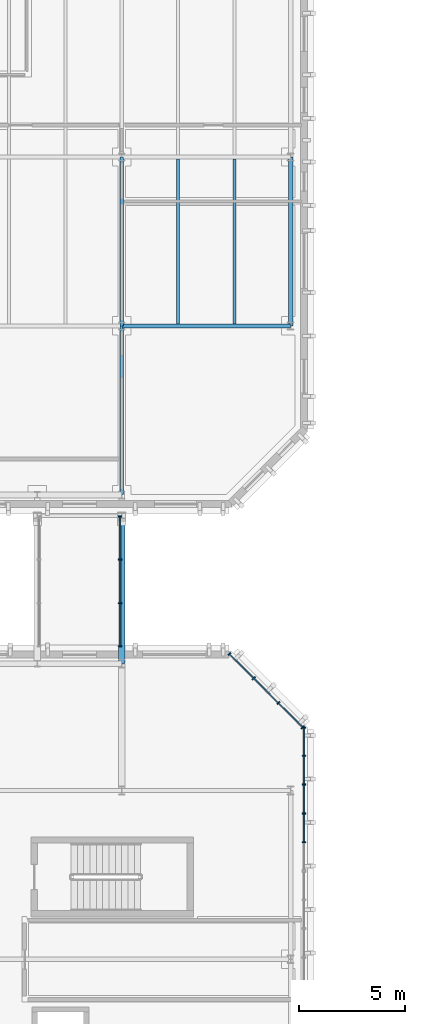
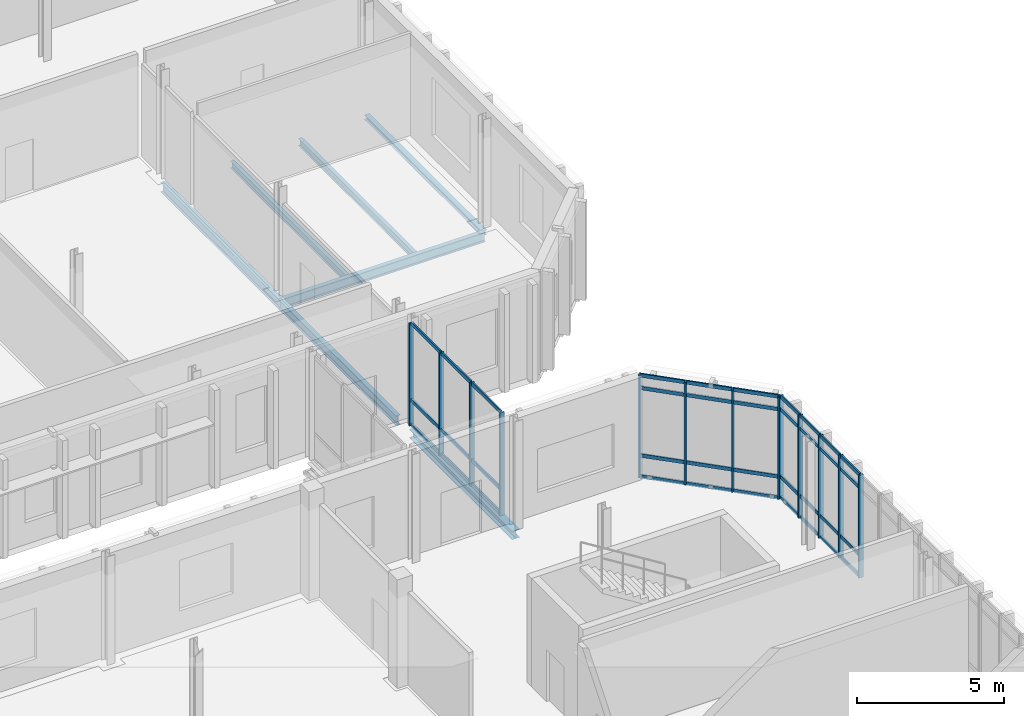
# One storey, part 34 of 86: 50 members, 7 beams, 3 elements without a shape of their own.
"""IFC4 building model written with IfcOpenShell, lengths in metres."""

from ifc_helpers import new_model, si_unit, direction, frame, origin, origin_2d, place, context, subcontext, project, spatial, rectangle, i_section, extrude, material, material_profile, profile_set, type_object, element, aggregate, save


model = new_model("IFC4")

# Units and contexts
model_context = context("Model", 3, precision=1e-05, world=origin(), true_north=direction((0.0, 1.0)))
body_context = subcontext(model_context, "Body", "Model", "MODEL_VIEW")
ifc_project = project(units=[si_unit("LENGTHUNIT", "METRE"), si_unit("AREAUNIT", "SQUARE_METRE"), si_unit("VOLUMEUNIT", "CUBIC_METRE"), si_unit("PLANEANGLEUNIT", "RADIAN"), si_unit("MASSUNIT", "GRAM", prefix="KILO")], contexts=[model_context])

# Site, building, storey
site_placement = place(None, origin())
site = spatial("IfcSite", under=ifc_project, at=site_placement, CompositionType="ELEMENT")
building_placement = place(site_placement, origin())
building = spatial("IfcBuilding", under=site, at=building_placement, Name="Cymarion Research Institute", CompositionType="ELEMENT")
storey_placement = place(building_placement, frame((0.0, 0.0, 13.800048828125)))
storey = spatial("IfcBuildingStorey", under=building, at=storey_placement, Name="L03", CompositionType="ELEMENT", Elevation=13.800048828125)

# Curtain wall, members
ifc_material_1 = material(Name="Anodised aluminium unitised curtain wall with Low-E glazing", Category="aluminium")
curtain_wall_type_1 = type_object("IfcCurtainWallType", Name="UNITISED CURTAIN WALL CW20 6820X4250", PredefinedType="NOTDEFINED", material=ifc_material_1)
curtain_wall_1_placement = place(storey_placement, origin())
curtain_wall_1 = element("IfcCurtainWall", 1, at=curtain_wall_1_placement, inside=storey, type_object=curtain_wall_type_1, Name="L03 V4 unitised curtain wall CW20 #155", PredefinedType="NOTDEFINED")
ifc_material_2 = material(Name="Anodised aluminium framing", Category="aluminium")
ifc_material_profile_1 = material_profile(ifc_material_2, rectangle(XDim=0.06005859375, YDim=0.179931640625, at=origin_2d()), Name="ALU MULLION 60x180")
ifc_profile_set_1 = profile_set([ifc_material_profile_1], Name="Anodised aluminium framing")
member_type_1 = type_object("IfcMemberType", Name="CURTAIN WALL MULLION ML01 60X180", PredefinedType="MULLION", material=ifc_profile_set_1)
member_1_placement = place(storey_placement, frame((47.22998046875, 69.04443359375, 0.0), z_axis=(0.0, 0.0, 1.0), x_axis=(0.0, 1.0, 0.0)))
member_1 = element("IfcMember", 2, at=member_1_placement, type_object=member_type_1, Name="CW20 mullion 2", PredefinedType="MULLION", context=body_context, shape_type="SweptSolid", body=[
    extrude(rectangle(XDim=0.06005859375, YDim=0.179931640625, at=origin_2d()), origin(), (0.0, 0.0, 1.0), 4.25),
])
member_2_placement = place(storey_placement, frame((47.22998046875, 70.408203125, 0.0), z_axis=(0.0, 0.0, 1.0), x_axis=(0.0, 1.0, 0.0)))
member_2 = element("IfcMember", 3, at=member_2_placement, type_object=member_type_1, Name="CW20 mullion 3", PredefinedType="MULLION", context=body_context, shape_type="SweptSolid", body=[
    extrude(rectangle(XDim=0.06005859375, YDim=0.179931640625, at=origin_2d()), origin(), (0.0, 0.0, 1.0), 4.25),
])
member_3_placement = place(storey_placement, frame((47.22998046875, 71.772216796875, 0.0), z_axis=(0.0, 0.0, 1.0), x_axis=(0.0, 1.0, 0.0)))
member_3 = element("IfcMember", 4, at=member_3_placement, type_object=member_type_1, Name="CW20 mullion 4", PredefinedType="MULLION", context=body_context, shape_type="SweptSolid", body=[
    extrude(rectangle(XDim=0.06005859375, YDim=0.179931640625, at=origin_2d()), origin(), (0.0, 0.0, 1.0), 4.25),
])
member_4_placement = place(storey_placement, frame((47.22998046875, 73.135986328125, 0.0), z_axis=(0.0, 0.0, 1.0), x_axis=(0.0, 1.0, 0.0)))
member_4 = element("IfcMember", 5, at=member_4_placement, type_object=member_type_1, Name="CW20 mullion 5", PredefinedType="MULLION", context=body_context, shape_type="SweptSolid", body=[
    extrude(rectangle(XDim=0.06005859375, YDim=0.179931640625, at=origin_2d()), origin(), (0.0, 0.0, 1.0), 4.25),
])
member_5_placement = place(storey_placement, frame((47.22998046875, 74.469970703125, 0.0), z_axis=(0.0, 0.0, 1.0), x_axis=(0.0, 1.0, 0.0)))
member_5 = element("IfcMember", 6, at=member_5_placement, type_object=member_type_1, Name="CW20 mullion 6", PredefinedType="MULLION", context=body_context, shape_type="SweptSolid", body=[
    extrude(rectangle(XDim=0.06005859375, YDim=0.179931640625, at=origin_2d()), origin(), (0.0, 0.0, 1.0), 4.25),
])

curtain_wall_type_2 = type_object("IfcCurtainWallType", Name="UNITISED CURTAIN WALL CW21 4970X4250", PredefinedType="NOTDEFINED", material=ifc_material_1)
curtain_wall_2_placement = place(storey_placement, origin())
curtain_wall_2 = element("IfcCurtainWall", 7, at=curtain_wall_2_placement, inside=storey, type_object=curtain_wall_type_2, Name="L03 V4 unitised curtain wall CW21 #156", PredefinedType="NOTDEFINED")
member_6_placement = place(storey_placement, frame((47.171630859375, 74.48779296875, 0.0), z_axis=(0.0, 0.0, 1.0), x_axis=(-0.707096717405, 0.707116844825, 0.0)))
member_6 = element("IfcMember", 8, at=member_6_placement, type_object=member_type_1, Name="CW21 mullion 1", PredefinedType="MULLION", context=body_context, shape_type="SweptSolid", body=[
    extrude(rectangle(XDim=0.06005859375, YDim=0.179931640625, at=origin_2d()), origin(), (0.0, 0.0, 1.0), 4.25),
])
member_7_placement = place(storey_placement, frame((46.02197265625, 75.6376953125, 0.0), z_axis=(0.0, 0.0, 1.0), x_axis=(-0.707096717405, 0.707116844825, 0.0)))
member_7 = element("IfcMember", 9, at=member_7_placement, type_object=member_type_1, Name="CW21 mullion 2", PredefinedType="MULLION", context=body_context, shape_type="SweptSolid", body=[
    extrude(rectangle(XDim=0.06005859375, YDim=0.179931640625, at=origin_2d()), origin(), (0.0, 0.0, 1.0), 4.25),
])
member_8_placement = place(storey_placement, frame((44.850830078125, 76.808837890625, 0.0), z_axis=(0.0, 0.0, 1.0), x_axis=(-0.707096717405, 0.707116844825, 0.0)))
member_8 = element("IfcMember", 10, at=member_8_placement, type_object=member_type_1, Name="CW21 mullion 3", PredefinedType="MULLION", context=body_context, shape_type="SweptSolid", body=[
    extrude(rectangle(XDim=0.06005859375, YDim=0.179931640625, at=origin_2d()), origin(), (0.0, 0.0, 1.0), 4.25),
])
member_9_placement = place(storey_placement, frame((43.700927734375, 77.95849609375, 0.0), z_axis=(0.0, 0.0, 1.0), x_axis=(-0.707096717405, 0.707116844825, 0.0)))
member_9 = element("IfcMember", 11, at=member_9_placement, type_object=member_type_1, Name="CW21 mullion 4", PredefinedType="MULLION", context=body_context, shape_type="SweptSolid", body=[
    extrude(rectangle(XDim=0.06005859375, YDim=0.179931640625, at=origin_2d()), origin(), (0.0, 0.0, 1.0), 4.25),
])

curtain_wall_type_3 = type_object("IfcCurtainWallType", Name="UNITISED CURTAIN WALL CW25 6200X4260", PredefinedType="NOTDEFINED", material=ifc_material_1)
curtain_wall_3_placement = place(storey_placement, origin())
curtain_wall_3 = element("IfcCurtainWall", 12, at=curtain_wall_3_placement, inside=storey, type_object=curtain_wall_type_3, Name="L03 SP2 sky-passage glazed wall 2", PredefinedType="NOTDEFINED")
member_10_placement = place(storey_placement, frame((38.52001953125, 78.330078125, 0.0), z_axis=(0.0, 0.0, 1.0), x_axis=(0.0, 1.0, 0.0)))
member_10 = element("IfcMember", 13, at=member_10_placement, type_object=member_type_1, Name="CW25 mullion 1", PredefinedType="MULLION", context=body_context, shape_type="SweptSolid", body=[
    extrude(rectangle(XDim=0.06005859375, YDim=0.179931640625, at=origin_2d()), origin(), (0.0, 0.0, 1.0), 4.260009765625),
])
member_11_placement = place(storey_placement, frame((38.52001953125, 80.36669921875, 0.0), z_axis=(0.0, 0.0, 1.0), x_axis=(0.0, 1.0, 0.0)))
member_11 = element("IfcMember", 14, at=member_11_placement, type_object=member_type_1, Name="CW25 mullion 2", PredefinedType="MULLION", context=body_context, shape_type="SweptSolid", body=[
    extrude(rectangle(XDim=0.06005859375, YDim=0.179931640625, at=origin_2d()), origin(), (0.0, 0.0, 1.0), 4.260009765625),
])
member_12_placement = place(storey_placement, frame((38.52001953125, 82.433349609375, 0.0), z_axis=(0.0, 0.0, 1.0), x_axis=(0.0, 1.0, 0.0)))
member_12 = element("IfcMember", 15, at=member_12_placement, type_object=member_type_1, Name="CW25 mullion 3", PredefinedType="MULLION", context=body_context, shape_type="SweptSolid", body=[
    extrude(rectangle(XDim=0.06005859375, YDim=0.179931640625, at=origin_2d()), origin(), (0.0, 0.0, 1.0), 4.260009765625),
])
member_13_placement = place(storey_placement, frame((38.52001953125, 84.469970703125, 0.0), z_axis=(0.0, 0.0, 1.0), x_axis=(0.0, 1.0, 0.0)))
member_13 = element("IfcMember", 16, at=member_13_placement, type_object=member_type_1, Name="CW25 mullion 4", PredefinedType="MULLION", context=body_context, shape_type="SweptSolid", body=[
    extrude(rectangle(XDim=0.06005859375, YDim=0.179931640625, at=origin_2d()), origin(), (0.0, 0.0, 1.0), 4.260009765625),
])

# Member
ifc_material_profile_2 = material_profile(ifc_material_2, rectangle(XDim=0.06005859375, YDim=0.14990234375, at=origin_2d()), Name="ALU TRANSOM 60x150")
ifc_profile_set_2 = profile_set([ifc_material_profile_2], Name="Anodised aluminium framing")
member_type_2 = type_object("IfcMemberType", Name="CURTAIN WALL TRANSOM TR01 60X150", PredefinedType="USERDEFINED", material=ifc_profile_set_2)
member_14_placement = place(storey_placement, frame((47.22998046875, 69.074462890625, 0.030029296875), z_axis=(0.0, 1.0, 0.0), x_axis=(-1.0, 0.0, 0.0)))
member_14 = element("IfcMember", 17, at=member_14_placement, type_object=member_type_2, Name="CW20 transom 2.1", ObjectType="TRANSOM", PredefinedType="USERDEFINED", context=body_context, shape_type="SweptSolid", body=[
    extrude(rectangle(XDim=0.06005859375, YDim=0.14990234375, at=origin_2d()), origin(), (0.0, 0.0, 1.0), 1.303955078125),
])

member_15_placement = place(storey_placement, frame((47.22998046875, 69.074462890625, 0.89990234375), z_axis=(0.0, 1.0, 0.0), x_axis=(-1.0, 0.0, 0.0)))
member_15 = element("IfcMember", 18, at=member_15_placement, type_object=member_type_2, Name="CW20 transom 2.2", ObjectType="TRANSOM", PredefinedType="USERDEFINED", context=body_context, shape_type="SweptSolid", body=[
    extrude(rectangle(XDim=0.06005859375, YDim=0.14990234375, at=origin_2d()), origin(), (0.0, 0.0, 1.0), 1.303955078125),
])

member_16_placement = place(storey_placement, frame((47.22998046875, 69.074462890625, 3.699951171875), z_axis=(0.0, 1.0, 0.0), x_axis=(-1.0, 0.0, 0.0)))
member_16 = element("IfcMember", 19, at=member_16_placement, type_object=member_type_2, Name="CW20 transom 2.3", ObjectType="TRANSOM", PredefinedType="USERDEFINED", context=body_context, shape_type="SweptSolid", body=[
    extrude(rectangle(XDim=0.06005859375, YDim=0.14990234375, at=origin_2d()), origin(), (0.0, 0.0, 1.0), 1.303955078125),
])

member_17_placement = place(storey_placement, frame((47.22998046875, 69.074462890625, 4.219970703125), z_axis=(0.0, 1.0, 0.0), x_axis=(-1.0, 0.0, 0.0)))
member_17 = element("IfcMember", 20, at=member_17_placement, type_object=member_type_2, Name="CW20 transom 2.4", ObjectType="TRANSOM", PredefinedType="USERDEFINED", context=body_context, shape_type="SweptSolid", body=[
    extrude(rectangle(XDim=0.06005859375, YDim=0.14990234375, at=origin_2d()), origin(), (0.0, 0.0, 1.0), 1.303955078125),
])

member_18_placement = place(storey_placement, frame((47.22998046875, 70.438232421875, 0.030029296875), z_axis=(0.0, 1.0, 0.0), x_axis=(-1.0, 0.0, 0.0)))
member_18 = element("IfcMember", 21, at=member_18_placement, type_object=member_type_2, Name="CW20 transom 3.1", ObjectType="TRANSOM", PredefinedType="USERDEFINED", context=body_context, shape_type="SweptSolid", body=[
    extrude(rectangle(XDim=0.06005859375, YDim=0.14990234375, at=origin_2d()), origin(), (0.0, 0.0, 1.0), 1.303955078125),
])

member_19_placement = place(storey_placement, frame((47.22998046875, 70.438232421875, 0.89990234375), z_axis=(0.0, 1.0, 0.0), x_axis=(-1.0, 0.0, 0.0)))
member_19 = element("IfcMember", 22, at=member_19_placement, type_object=member_type_2, Name="CW20 transom 3.2", ObjectType="TRANSOM", PredefinedType="USERDEFINED", context=body_context, shape_type="SweptSolid", body=[
    extrude(rectangle(XDim=0.06005859375, YDim=0.14990234375, at=origin_2d()), origin(), (0.0, 0.0, 1.0), 1.303955078125),
])

member_20_placement = place(storey_placement, frame((47.22998046875, 70.438232421875, 3.699951171875), z_axis=(0.0, 1.0, 0.0), x_axis=(-1.0, 0.0, 0.0)))
member_20 = element("IfcMember", 23, at=member_20_placement, type_object=member_type_2, Name="CW20 transom 3.3", ObjectType="TRANSOM", PredefinedType="USERDEFINED", context=body_context, shape_type="SweptSolid", body=[
    extrude(rectangle(XDim=0.06005859375, YDim=0.14990234375, at=origin_2d()), origin(), (0.0, 0.0, 1.0), 1.303955078125),
])

member_21_placement = place(storey_placement, frame((47.22998046875, 70.438232421875, 4.219970703125), z_axis=(0.0, 1.0, 0.0), x_axis=(-1.0, 0.0, 0.0)))
member_21 = element("IfcMember", 24, at=member_21_placement, type_object=member_type_2, Name="CW20 transom 3.4", ObjectType="TRANSOM", PredefinedType="USERDEFINED", context=body_context, shape_type="SweptSolid", body=[
    extrude(rectangle(XDim=0.06005859375, YDim=0.14990234375, at=origin_2d()), origin(), (0.0, 0.0, 1.0), 1.303955078125),
])

member_22_placement = place(storey_placement, frame((47.22998046875, 71.80224609375, 0.030029296875), z_axis=(0.0, 1.0, 0.0), x_axis=(-1.0, 0.0, 0.0)))
member_22 = element("IfcMember", 25, at=member_22_placement, type_object=member_type_2, Name="CW20 transom 4.1", ObjectType="TRANSOM", PredefinedType="USERDEFINED", context=body_context, shape_type="SweptSolid", body=[
    extrude(rectangle(XDim=0.06005859375, YDim=0.14990234375, at=origin_2d()), origin(), (0.0, 0.0, 1.0), 1.303955078125),
])

member_23_placement = place(storey_placement, frame((47.22998046875, 71.80224609375, 0.89990234375), z_axis=(0.0, 1.0, 0.0), x_axis=(-1.0, 0.0, 0.0)))
member_23 = element("IfcMember", 26, at=member_23_placement, type_object=member_type_2, Name="CW20 transom 4.2", ObjectType="TRANSOM", PredefinedType="USERDEFINED", context=body_context, shape_type="SweptSolid", body=[
    extrude(rectangle(XDim=0.06005859375, YDim=0.14990234375, at=origin_2d()), origin(), (0.0, 0.0, 1.0), 1.303955078125),
])

member_24_placement = place(storey_placement, frame((47.22998046875, 71.80224609375, 3.699951171875), z_axis=(0.0, 1.0, 0.0), x_axis=(-1.0, 0.0, 0.0)))
member_24 = element("IfcMember", 27, at=member_24_placement, type_object=member_type_2, Name="CW20 transom 4.3", ObjectType="TRANSOM", PredefinedType="USERDEFINED", context=body_context, shape_type="SweptSolid", body=[
    extrude(rectangle(XDim=0.06005859375, YDim=0.14990234375, at=origin_2d()), origin(), (0.0, 0.0, 1.0), 1.303955078125),
])

member_25_placement = place(storey_placement, frame((47.22998046875, 71.80224609375, 4.219970703125), z_axis=(0.0, 1.0, 0.0), x_axis=(-1.0, 0.0, 0.0)))
member_25 = element("IfcMember", 28, at=member_25_placement, type_object=member_type_2, Name="CW20 transom 4.4", ObjectType="TRANSOM", PredefinedType="USERDEFINED", context=body_context, shape_type="SweptSolid", body=[
    extrude(rectangle(XDim=0.06005859375, YDim=0.14990234375, at=origin_2d()), origin(), (0.0, 0.0, 1.0), 1.303955078125),
])

member_26_placement = place(storey_placement, frame((47.22998046875, 73.166015625, 0.030029296875), z_axis=(0.0, 1.0, 0.0), x_axis=(-1.0, 0.0, 0.0)))
member_26 = element("IfcMember", 29, at=member_26_placement, type_object=member_type_2, Name="CW20 transom 5.1", ObjectType="TRANSOM", PredefinedType="USERDEFINED", context=body_context, shape_type="SweptSolid", body=[
    extrude(rectangle(XDim=0.06005859375, YDim=0.14990234375, at=origin_2d()), origin(), (0.0, 0.0, 1.0), 1.27392578125),
])

member_27_placement = place(storey_placement, frame((47.22998046875, 73.166015625, 0.89990234375), z_axis=(0.0, 1.0, 0.0), x_axis=(-1.0, 0.0, 0.0)))
member_27 = element("IfcMember", 30, at=member_27_placement, type_object=member_type_2, Name="CW20 transom 5.2", ObjectType="TRANSOM", PredefinedType="USERDEFINED", context=body_context, shape_type="SweptSolid", body=[
    extrude(rectangle(XDim=0.06005859375, YDim=0.14990234375, at=origin_2d()), origin(), (0.0, 0.0, 1.0), 1.27392578125),
])

member_28_placement = place(storey_placement, frame((47.22998046875, 73.166015625, 3.699951171875), z_axis=(0.0, 1.0, 0.0), x_axis=(-1.0, 0.0, 0.0)))
member_28 = element("IfcMember", 31, at=member_28_placement, type_object=member_type_2, Name="CW20 transom 5.3", ObjectType="TRANSOM", PredefinedType="USERDEFINED", context=body_context, shape_type="SweptSolid", body=[
    extrude(rectangle(XDim=0.06005859375, YDim=0.14990234375, at=origin_2d()), origin(), (0.0, 0.0, 1.0), 1.27392578125),
])

member_29_placement = place(storey_placement, frame((47.22998046875, 73.166015625, 4.219970703125), z_axis=(0.0, 1.0, 0.0), x_axis=(-1.0, 0.0, 0.0)))
member_29 = element("IfcMember", 32, at=member_29_placement, type_object=member_type_2, Name="CW20 transom 5.4", ObjectType="TRANSOM", PredefinedType="USERDEFINED", context=body_context, shape_type="SweptSolid", body=[
    extrude(rectangle(XDim=0.06005859375, YDim=0.14990234375, at=origin_2d()), origin(), (0.0, 0.0, 1.0), 1.27392578125),
])

aggregate(curtain_wall_1, [member_1, member_2, member_3, member_4, member_5, member_14, member_15, member_16, member_17, member_18, member_19, member_20, member_21, member_22, member_23, member_24, member_25, member_26, member_27, member_28, member_29])

member_30_placement = place(storey_placement, frame((47.150390625, 74.509033203125, 0.030029296875), z_axis=(-0.707106781187, 0.707106781187, 0.0), x_axis=(-0.707106781187, -0.707106781187, 0.0)))
member_30 = element("IfcMember", 33, at=member_30_placement, type_object=member_type_2, Name="CW21 transom 1.1", ObjectType="TRANSOM", PredefinedType="USERDEFINED", context=body_context, shape_type="SweptSolid", body=[
    extrude(rectangle(XDim=0.06005859375, YDim=0.14990234375, at=origin_2d()), origin(), (0.0, 0.0, 1.0), 1.566162109375),
])

member_31_placement = place(storey_placement, frame((47.150390625, 74.509033203125, 0.89990234375), z_axis=(-0.707106781187, 0.707106781187, 0.0), x_axis=(-0.707106781187, -0.707106781187, 0.0)))
member_31 = element("IfcMember", 34, at=member_31_placement, type_object=member_type_2, Name="CW21 transom 1.2", ObjectType="TRANSOM", PredefinedType="USERDEFINED", context=body_context, shape_type="SweptSolid", body=[
    extrude(rectangle(XDim=0.06005859375, YDim=0.14990234375, at=origin_2d()), origin(), (0.0, 0.0, 1.0), 1.566162109375),
])

member_32_placement = place(storey_placement, frame((47.150390625, 74.509033203125, 3.699951171875), z_axis=(-0.707106781187, 0.707106781187, 0.0), x_axis=(-0.707106781187, -0.707106781187, 0.0)))
member_32 = element("IfcMember", 35, at=member_32_placement, type_object=member_type_2, Name="CW21 transom 1.3", ObjectType="TRANSOM", PredefinedType="USERDEFINED", context=body_context, shape_type="SweptSolid", body=[
    extrude(rectangle(XDim=0.06005859375, YDim=0.14990234375, at=origin_2d()), origin(), (0.0, 0.0, 1.0), 1.566162109375),
])

member_33_placement = place(storey_placement, frame((47.150390625, 74.509033203125, 4.219970703125), z_axis=(-0.707106781187, 0.707106781187, 0.0), x_axis=(-0.707106781187, -0.707106781187, 0.0)))
member_33 = element("IfcMember", 36, at=member_33_placement, type_object=member_type_2, Name="CW21 transom 1.4", ObjectType="TRANSOM", PredefinedType="USERDEFINED", context=body_context, shape_type="SweptSolid", body=[
    extrude(rectangle(XDim=0.06005859375, YDim=0.14990234375, at=origin_2d()), origin(), (0.0, 0.0, 1.0), 1.566162109375),
])

member_34_placement = place(storey_placement, frame((46.000732421875, 75.658935546875, 0.030029296875), z_axis=(-0.707106781187, 0.707106781187, 0.0), x_axis=(-0.707106781187, -0.707106781187, 0.0)))
member_34 = element("IfcMember", 37, at=member_34_placement, type_object=member_type_2, Name="CW21 transom 2.1", ObjectType="TRANSOM", PredefinedType="USERDEFINED", context=body_context, shape_type="SweptSolid", body=[
    extrude(rectangle(XDim=0.06005859375, YDim=0.14990234375, at=origin_2d()), origin(), (0.0, 0.0, 1.0), 1.59619140625),
])

member_35_placement = place(storey_placement, frame((46.000732421875, 75.658935546875, 0.89990234375), z_axis=(-0.707106781187, 0.707106781187, 0.0), x_axis=(-0.707106781187, -0.707106781187, 0.0)))
member_35 = element("IfcMember", 38, at=member_35_placement, type_object=member_type_2, Name="CW21 transom 2.2", ObjectType="TRANSOM", PredefinedType="USERDEFINED", context=body_context, shape_type="SweptSolid", body=[
    extrude(rectangle(XDim=0.06005859375, YDim=0.14990234375, at=origin_2d()), origin(), (0.0, 0.0, 1.0), 1.59619140625),
])

member_36_placement = place(storey_placement, frame((46.000732421875, 75.658935546875, 3.699951171875), z_axis=(-0.707106781187, 0.707106781187, 0.0), x_axis=(-0.707106781187, -0.707106781187, 0.0)))
member_36 = element("IfcMember", 39, at=member_36_placement, type_object=member_type_2, Name="CW21 transom 2.3", ObjectType="TRANSOM", PredefinedType="USERDEFINED", context=body_context, shape_type="SweptSolid", body=[
    extrude(rectangle(XDim=0.06005859375, YDim=0.14990234375, at=origin_2d()), origin(), (0.0, 0.0, 1.0), 1.59619140625),
])

member_37_placement = place(storey_placement, frame((46.000732421875, 75.658935546875, 4.219970703125), z_axis=(-0.707106781187, 0.707106781187, 0.0), x_axis=(-0.707106781187, -0.707106781187, 0.0)))
member_37 = element("IfcMember", 40, at=member_37_placement, type_object=member_type_2, Name="CW21 transom 2.4", ObjectType="TRANSOM", PredefinedType="USERDEFINED", context=body_context, shape_type="SweptSolid", body=[
    extrude(rectangle(XDim=0.06005859375, YDim=0.14990234375, at=origin_2d()), origin(), (0.0, 0.0, 1.0), 1.59619140625),
])

member_38_placement = place(storey_placement, frame((44.82958984375, 76.829833984375, 0.030029296875), z_axis=(-0.707106781187, 0.707106781187, 0.0), x_axis=(-0.707106781187, -0.707106781187, 0.0)))
member_38 = element("IfcMember", 41, at=member_38_placement, type_object=member_type_2, Name="CW21 transom 3.1", ObjectType="TRANSOM", PredefinedType="USERDEFINED", context=body_context, shape_type="SweptSolid", body=[
    extrude(rectangle(XDim=0.06005859375, YDim=0.14990234375, at=origin_2d()), origin(), (0.0, 0.0, 1.0), 1.566162109375),
])

member_39_placement = place(storey_placement, frame((44.82958984375, 76.829833984375, 0.89990234375), z_axis=(-0.707106781187, 0.707106781187, 0.0), x_axis=(-0.707106781187, -0.707106781187, 0.0)))
member_39 = element("IfcMember", 42, at=member_39_placement, type_object=member_type_2, Name="CW21 transom 3.2", ObjectType="TRANSOM", PredefinedType="USERDEFINED", context=body_context, shape_type="SweptSolid", body=[
    extrude(rectangle(XDim=0.06005859375, YDim=0.14990234375, at=origin_2d()), origin(), (0.0, 0.0, 1.0), 1.566162109375),
])

member_40_placement = place(storey_placement, frame((44.82958984375, 76.829833984375, 3.699951171875), z_axis=(-0.707106781187, 0.707106781187, 0.0), x_axis=(-0.707106781187, -0.707106781187, 0.0)))
member_40 = element("IfcMember", 43, at=member_40_placement, type_object=member_type_2, Name="CW21 transom 3.3", ObjectType="TRANSOM", PredefinedType="USERDEFINED", context=body_context, shape_type="SweptSolid", body=[
    extrude(rectangle(XDim=0.06005859375, YDim=0.14990234375, at=origin_2d()), origin(), (0.0, 0.0, 1.0), 1.566162109375),
])

member_41_placement = place(storey_placement, frame((44.82958984375, 76.829833984375, 4.219970703125), z_axis=(-0.707106781187, 0.707106781187, 0.0), x_axis=(-0.707106781187, -0.707106781187, 0.0)))
member_41 = element("IfcMember", 44, at=member_41_placement, type_object=member_type_2, Name="CW21 transom 3.4", ObjectType="TRANSOM", PredefinedType="USERDEFINED", context=body_context, shape_type="SweptSolid", body=[
    extrude(rectangle(XDim=0.06005859375, YDim=0.14990234375, at=origin_2d()), origin(), (0.0, 0.0, 1.0), 1.566162109375),
])

aggregate(curtain_wall_2, [member_6, member_7, member_8, member_9, member_30, member_31, member_32, member_33, member_34, member_35, member_36, member_37, member_38, member_39, member_40, member_41])

member_42_placement = place(storey_placement, frame((38.52001953125, 78.360107421875, 0.030029296875), z_axis=(0.0, 1.0, 0.0), x_axis=(-1.0, 0.0, 0.0)))
member_42 = element("IfcMember", 45, at=member_42_placement, type_object=member_type_2, Name="CW25 transom 1.1", ObjectType="TRANSOM", PredefinedType="USERDEFINED", context=body_context, shape_type="SweptSolid", body=[
    extrude(rectangle(XDim=0.06005859375, YDim=0.14990234375, at=origin_2d()), origin(), (0.0, 0.0, 1.0), 1.9765625),
])

member_43_placement = place(storey_placement, frame((38.52001953125, 78.360107421875, 1.050048828125), z_axis=(0.0, 1.0, 0.0), x_axis=(-1.0, 0.0, 0.0)))
member_43 = element("IfcMember", 46, at=member_43_placement, type_object=member_type_2, Name="CW25 transom 1.2", ObjectType="TRANSOM", PredefinedType="USERDEFINED", context=body_context, shape_type="SweptSolid", body=[
    extrude(rectangle(XDim=0.06005859375, YDim=0.14990234375, at=origin_2d()), origin(), (0.0, 0.0, 1.0), 1.9765625),
])

member_44_placement = place(storey_placement, frame((38.52001953125, 78.360107421875, 4.22998046875), z_axis=(0.0, 1.0, 0.0), x_axis=(-1.0, 0.0, 0.0)))
member_44 = element("IfcMember", 47, at=member_44_placement, type_object=member_type_2, Name="CW25 transom 1.3", ObjectType="TRANSOM", PredefinedType="USERDEFINED", context=body_context, shape_type="SweptSolid", body=[
    extrude(rectangle(XDim=0.06005859375, YDim=0.14990234375, at=origin_2d()), origin(), (0.0, 0.0, 1.0), 1.9765625),
])

member_45_placement = place(storey_placement, frame((38.52001953125, 80.396728515625, 0.030029296875), z_axis=(0.0, 1.0, 0.0), x_axis=(-1.0, 0.0, 0.0)))
member_45 = element("IfcMember", 48, at=member_45_placement, type_object=member_type_2, Name="CW25 transom 2.1", ObjectType="TRANSOM", PredefinedType="USERDEFINED", context=body_context, shape_type="SweptSolid", body=[
    extrude(rectangle(XDim=0.06005859375, YDim=0.14990234375, at=origin_2d()), origin(), (0.0, 0.0, 1.0), 2.006591796875),
])

member_46_placement = place(storey_placement, frame((38.52001953125, 80.396728515625, 1.050048828125), z_axis=(0.0, 1.0, 0.0), x_axis=(-1.0, 0.0, 0.0)))
member_46 = element("IfcMember", 49, at=member_46_placement, type_object=member_type_2, Name="CW25 transom 2.2", ObjectType="TRANSOM", PredefinedType="USERDEFINED", context=body_context, shape_type="SweptSolid", body=[
    extrude(rectangle(XDim=0.06005859375, YDim=0.14990234375, at=origin_2d()), origin(), (0.0, 0.0, 1.0), 2.006591796875),
])

member_47_placement = place(storey_placement, frame((38.52001953125, 80.396728515625, 4.22998046875), z_axis=(0.0, 1.0, 0.0), x_axis=(-1.0, 0.0, 0.0)))
member_47 = element("IfcMember", 50, at=member_47_placement, type_object=member_type_2, Name="CW25 transom 2.3", ObjectType="TRANSOM", PredefinedType="USERDEFINED", context=body_context, shape_type="SweptSolid", body=[
    extrude(rectangle(XDim=0.06005859375, YDim=0.14990234375, at=origin_2d()), origin(), (0.0, 0.0, 1.0), 2.006591796875),
])

member_48_placement = place(storey_placement, frame((38.52001953125, 82.46337890625, 0.030029296875), z_axis=(0.0, 1.0, 0.0), x_axis=(-1.0, 0.0, 0.0)))
member_48 = element("IfcMember", 51, at=member_48_placement, type_object=member_type_2, Name="CW25 transom 3.1", ObjectType="TRANSOM", PredefinedType="USERDEFINED", context=body_context, shape_type="SweptSolid", body=[
    extrude(rectangle(XDim=0.06005859375, YDim=0.14990234375, at=origin_2d()), origin(), (0.0, 0.0, 1.0), 1.9765625),
])

member_49_placement = place(storey_placement, frame((38.52001953125, 82.46337890625, 1.050048828125), z_axis=(0.0, 1.0, 0.0), x_axis=(-1.0, 0.0, 0.0)))
member_49 = element("IfcMember", 52, at=member_49_placement, type_object=member_type_2, Name="CW25 transom 3.2", ObjectType="TRANSOM", PredefinedType="USERDEFINED", context=body_context, shape_type="SweptSolid", body=[
    extrude(rectangle(XDim=0.06005859375, YDim=0.14990234375, at=origin_2d()), origin(), (0.0, 0.0, 1.0), 1.9765625),
])

member_50_placement = place(storey_placement, frame((38.52001953125, 82.46337890625, 4.22998046875), z_axis=(0.0, 1.0, 0.0), x_axis=(-1.0, 0.0, 0.0)))
member_50 = element("IfcMember", 53, at=member_50_placement, type_object=member_type_2, Name="CW25 transom 3.3", ObjectType="TRANSOM", PredefinedType="USERDEFINED", context=body_context, shape_type="SweptSolid", body=[
    extrude(rectangle(XDim=0.06005859375, YDim=0.14990234375, at=origin_2d()), origin(), (0.0, 0.0, 1.0), 1.9765625),
])

aggregate(curtain_wall_3, [member_10, member_11, member_12, member_13, member_42, member_43, member_44, member_45, member_46, member_47, member_48, member_49, member_50])

# Beams
ifc_material_3 = material(Name="Steel S355", Category="steel")
ifc_material_profile_3 = material_profile(ifc_material_3, i_section(OverallWidth=0.179931640625, OverallDepth=0.39990234375, WebThickness=0.008544921875, FlangeThickness=0.013427734375, FilletRadius=0.02099609375, at=origin_2d()), Name="IPE 400")
ifc_profile_set_3 = profile_set([ifc_material_profile_3], Name="Steel S355")
beam_type_1 = type_object("IfcBeamType", Name="PRIMARY GIRDER BM05 IPE 400", PredefinedType="BEAM", material=ifc_profile_set_3)
beam_1_placement = place(storey_placement, frame((38.60595703125, 93.5, -0.449951171875), z_axis=(1.0, 0.0, 0.0), x_axis=(0.0, 1.0, 0.0)))
element("IfcBeam", 54, at=beam_1_placement, inside=storey, type_object=beam_type_1, Name="L03 V5 girder BM05 #1532", PredefinedType="BEAM", context=body_context, shape_type="SweptSolid", body=[
    extrude(i_section(OverallWidth=0.179931640625, OverallDepth=0.39990234375, WebThickness=0.008544921875, FlangeThickness=0.013427734375, FilletRadius=0.02099609375, at=origin_2d()), origin(), (0.0, 0.0, 1.0), 7.988037109375),
])
for number, where, z_axis, x_axis, name in (
    (55, (38.60009765625, 85.506103515625, -0.449951171875), (0.0, 1.0, 0.0), (-1.0, 0.0, 0.0), "L03 V5 girder BM05 #1560"),
    (56, (38.60009765625, 93.506103515625, -0.449951171875), (0.0, 1.0, 0.0), (-1.0, 0.0, 0.0), "L03 V5 girder BM05 #1561"),
):
    element("IfcBeam", number, at=place(storey_placement, frame(where, z_axis=z_axis, x_axis=x_axis)), inside=storey, type_object=beam_type_1, Name=name, PredefinedType="BEAM", context=body_context, shape_type="SweptSolid", body=[
        extrude(i_section(OverallWidth=0.179931640625, OverallDepth=0.39990234375, WebThickness=0.008544921875, FlangeThickness=0.013427734375, FilletRadius=0.02099609375, at=origin_2d()), origin(), (0.0, 0.0, 1.0), 7.98779296875),
    ])
ifc_material_profile_4 = material_profile(ifc_material_3, i_section(OverallWidth=0.300048828125, OverallDepth=0.35009765625, WebThickness=0.010009765625, FlangeThickness=0.017578125, FilletRadius=0.027099609375, at=origin_2d()), Name="HEA 360")
ifc_profile_set_4 = profile_set([ifc_material_profile_4], Name="Steel S355")
beam_type_2 = type_object("IfcBeamType", Name="PRIMARY GIRDER BM12 HEA 360", PredefinedType="BEAM", material=ifc_profile_set_4)
beam_2_placement = place(storey_placement, frame((38.60009765625, 77.506103515625, -0.3349609375), z_axis=(0.0, 1.0, 0.0), x_axis=(-1.0, 0.0, 0.0)))
element("IfcBeam", 57, at=beam_2_placement, inside=storey, type_object=beam_type_2, Name="L03 V4 girder BM12 #1496", PredefinedType="BEAM", context=body_context, shape_type="SweptSolid", body=[
    extrude(i_section(OverallWidth=0.300048828125, OverallDepth=0.35009765625, WebThickness=0.010009765625, FlangeThickness=0.017578125, FilletRadius=0.027099609375, at=origin_2d()), origin(), (0.0, 0.0, 1.0), 6.98779296875),
])
ifc_material_profile_5 = material_profile(ifc_material_3, i_section(OverallWidth=0.14990234375, OverallDepth=0.300048828125, WebThickness=0.007080078125, FlangeThickness=0.0107421875, FilletRadius=0.014892578125, at=origin_2d()), Name="IPE 300")
ifc_profile_set_5 = profile_set([ifc_material_profile_5], Name="Steel S355")
beam_type_3 = type_object("IfcBeamType", Name="SECONDARY JOIST JS02 IPE 300", PredefinedType="JOIST", material=ifc_profile_set_5)
for number, where, z_axis, x_axis, name in (
    (58, (41.2666015625, 93.593994140625, -0.400146484375), (0.0, 1.0, 0.0), (-1.0, 0.0, 0.0), "L03 V5 secondary joist JS02 #1576"),
    (59, (43.933349609375, 93.593994140625, -0.400146484375), (0.0, 1.0, 0.0), (-1.0, 0.0, 0.0), "L03 V5 secondary joist JS02 #1577"),
):
    element("IfcBeam", number, at=place(storey_placement, frame(where, z_axis=z_axis, x_axis=x_axis)), inside=storey, type_object=beam_type_3, Name=name, PredefinedType="JOIST", context=body_context, shape_type="SweptSolid", body=[
        extrude(i_section(OverallWidth=0.14990234375, OverallDepth=0.300048828125, WebThickness=0.007080078125, FlangeThickness=0.0107421875, FilletRadius=0.014892578125, at=origin_2d()), origin(), (0.0, 0.0, 1.0), 7.81201171875),
    ])
ifc_material_profile_6 = material_profile(ifc_material_3, i_section(OverallWidth=0.199951171875, OverallDepth=0.18994140625, WebThickness=0.006591796875, FlangeThickness=0.010009765625, FilletRadius=0.01806640625, at=origin_2d()), Name="HEA 200")
ifc_profile_set_6 = profile_set([ifc_material_profile_6], Name="Steel S355")
beam_type_4 = type_object("IfcBeamType", Name="SPANDREL BEAM SPB04 HEA 200", PredefinedType="SPANDREL", material=ifc_profile_set_6)
beam_3_placement = place(storey_placement, frame((46.60009765625, 93.506103515625, -0.344970703125), z_axis=(0.0, 1.0, 0.0), x_axis=(-1.0, 0.0, 0.0)))
element("IfcBeam", 60, at=beam_3_placement, inside=storey, type_object=beam_type_4, Name="L03 V5 girder SPB04 #1563", PredefinedType="SPANDREL", context=body_context, shape_type="SweptSolid", body=[
    extrude(i_section(OverallWidth=0.199951171875, OverallDepth=0.18994140625, WebThickness=0.006591796875, FlangeThickness=0.010009765625, FilletRadius=0.01806640625, at=origin_2d()), origin(), (0.0, 0.0, 1.0), 7.98779296875),
])

save(model, "model.ifc")
